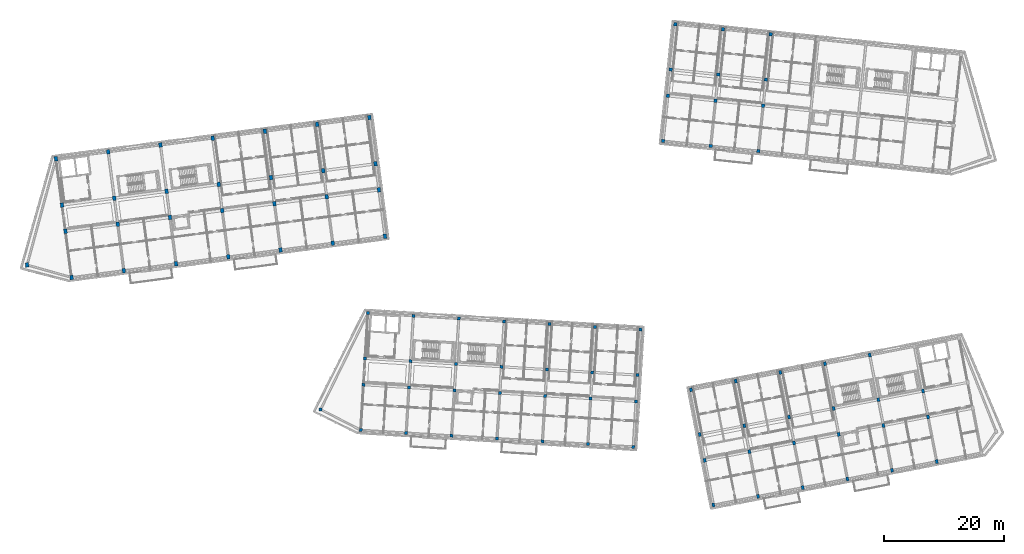
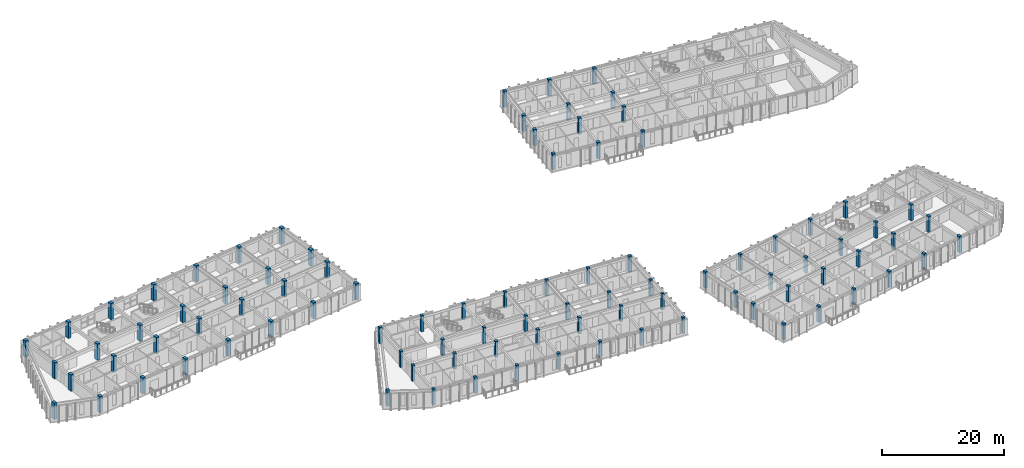
# One storey, part 1 of 68: 93 columns.
"""IFC4 building model written with IfcOpenShell, lengths in metres."""

from ifc_helpers import new_model, si_unit, direction, frame, origin, origin_2d, place, context, subcontext, project, spatial, rectangle, extrude, material, material_profile, profile_set, type_object, element, save


model = new_model("IFC4")

# Units and contexts
model_context = context("Model", 3, precision=1e-05, world=origin(), true_north=direction((0.0, 1.0)))
body_context = subcontext(model_context, "Body", "Model", "MODEL_VIEW")
ifc_project = project(units=[si_unit("LENGTHUNIT", "METRE"), si_unit("AREAUNIT", "SQUARE_METRE"), si_unit("VOLUMEUNIT", "CUBIC_METRE"), si_unit("PLANEANGLEUNIT", "RADIAN"), si_unit("MASSUNIT", "GRAM", prefix="KILO")], contexts=[model_context])

# Site, building, storey
site_placement = place(None, origin())
site = spatial("IfcSite", under=ifc_project, at=site_placement, CompositionType="ELEMENT")
building_placement = place(site_placement, origin())
building = spatial("IfcBuilding", under=site, at=building_placement, Name="Kestramere Prow Commons", CompositionType="ELEMENT")
storey_placement = place(building_placement, frame((0.0, 0.0, 18.14990234375)))
storey = spatial("IfcBuildingStorey", under=building, at=storey_placement, Name="L05", CompositionType="ELEMENT", Elevation=18.14990234375)

# Columns
ifc_material = material(Name="Precast concrete C40/50", Category="concrete")
ifc_material_profile_1 = material_profile(ifc_material, rectangle(XDim=0.550048828125, YDim=0.75, at=origin_2d()), Name="PC-COL 550x750")
ifc_profile_set_1 = profile_set([ifc_material_profile_1], Name="Precast concrete C40/50")
column_type_1 = type_object("IfcColumnType", Name="C-A2 PC-COL 550x750", PredefinedType="COLUMN", material=ifc_profile_set_1)
for number, where, z_axis, x_axis, name in (
    (1, (11.199951171875, 72.0, 0.0), (0.0, 0.0, 1.0), (0.991444861374, 0.13052619222, 0.0), "Block A L05 Column 1-1"),
    (2, (10.181884765625, 79.733154296875, 0.0), (0.0, 0.0, 1.0), (0.991444861374, 0.13052619222, 0.0), "Block A L05 Column 1-2"),
    (3, (9.607666015625, 84.095703125, 0.0), (0.0, 0.0, 1.0), (0.991444861374, 0.13052619222, 0.0), "Block A L05 Column 1-3"),
    (4, (8.58935546875, 91.828857421875, 0.0), (0.0, 0.0, 1.0), (0.991444861374, 0.13052619222, 0.0), "Block A L05 Column 1-4"),
    (5, (19.9248046875, 73.148681640625, 0.0), (0.0, 0.0, 1.0), (0.991444861374, 0.13052619222, 0.0), "Block A L05 Column 2-1"),
    (6, (18.906494140625, 80.8818359375, 0.0), (0.0, 0.0, 1.0), (0.991444861374, 0.13052619222, 0.0), "Block A L05 Column 2-2"),
    (7, (18.332275390625, 85.244140625, 0.0), (0.0, 0.0, 1.0), (0.991444861374, 0.13052619222, 0.0), "Block A L05 Column 2-3"),
    (8, (17.314208984375, 92.9775390625, 0.0), (0.0, 0.0, 1.0), (0.991444861374, 0.13052619222, 0.0), "Block A L05 Column 2-4"),
    (9, (28.6494140625, 74.29736328125, 0.0), (0.0, 0.0, 1.0), (0.991444861374, 0.13052619222, 0.0), "Block A L05 Column 3-1"),
    (10, (27.63134765625, 82.030517578125, 0.0), (0.0, 0.0, 1.0), (0.991444861374, 0.13052619222, 0.0), "Block A L05 Column 3-2"),
    (11, (27.05712890625, 86.392822265625, 0.0), (0.0, 0.0, 1.0), (0.991444861374, 0.13052619222, 0.0), "Block A L05 Column 3-3"),
    (12, (26.038818359375, 94.126220703125, 0.0), (0.0, 0.0, 1.0), (0.991444861374, 0.13052619222, 0.0), "Block A L05 Column 3-4"),
    (13, (37.3740234375, 75.44580078125, 0.0), (0.0, 0.0, 1.0), (0.991444861374, 0.13052619222, 0.0), "Block A L05 Column 4-1"),
    (14, (36.35595703125, 83.17919921875, 0.0), (0.0, 0.0, 1.0), (0.991444861374, 0.13052619222, 0.0), "Block A L05 Column 4-2"),
    (15, (35.78173828125, 87.54150390625, 0.0), (0.0, 0.0, 1.0), (0.991444861374, 0.13052619222, 0.0), "Block A L05 Column 4-3"),
    (16, (34.763671875, 95.27490234375, 0.0), (0.0, 0.0, 1.0), (0.991444861374, 0.13052619222, 0.0), "Block A L05 Column 4-4"),
    (17, (46.098876953125, 76.594482421875, 0.0), (0.0, 0.0, 1.0), (0.991444861374, 0.13052619222, 0.0), "Block A L05 Column 5-1"),
    (18, (45.080810546875, 84.327880859375, 0.0), (0.0, 0.0, 1.0), (0.991444861374, 0.13052619222, 0.0), "Block A L05 Column 5-2"),
    (19, (44.50634765625, 88.690185546875, 0.0), (0.0, 0.0, 1.0), (0.991444861374, 0.13052619222, 0.0), "Block A L05 Column 5-3"),
    (20, (43.48828125, 96.42333984375, 0.0), (0.0, 0.0, 1.0), (0.991444861374, 0.13052619222, 0.0), "Block A L05 Column 5-4"),
    (21, (54.823486328125, 77.7431640625, 0.0), (0.0, 0.0, 1.0), (0.991444861374, 0.13052619222, 0.0), "Block A L05 Column 6-1"),
    (22, (53.805419921875, 85.476318359375, 0.0), (0.0, 0.0, 1.0), (0.991444861374, 0.13052619222, 0.0), "Block A L05 Column 6-2"),
    (23, (53.231201171875, 89.8388671875, 0.0), (0.0, 0.0, 1.0), (0.991444861374, 0.13052619222, 0.0), "Block A L05 Column 6-3"),
    (24, (52.213134765625, 97.572021484375, 0.0), (0.0, 0.0, 1.0), (0.991444861374, 0.13052619222, 0.0), "Block A L05 Column 6-4"),
    (25, (63.54833984375, 78.891845703125, 0.0), (0.0, 0.0, 1.0), (0.991444861374, 0.13052619222, 0.0), "Block A L05 Column 7-1"),
    (26, (62.5302734375, 86.625, 0.0), (0.0, 0.0, 1.0), (0.991444861374, 0.13052619222, 0.0), "Block A L05 Column 7-2"),
    (27, (61.955810546875, 90.9873046875, 0.0), (0.0, 0.0, 1.0), (0.991444861374, 0.13052619222, 0.0), "Block A L05 Column 7-3"),
    (28, (60.937744140625, 98.720703125, 0.0), (0.0, 0.0, 1.0), (0.991444861374, 0.13052619222, 0.0), "Block A L05 Column 7-4"),
    (29, (3.7626953125, 74.09716796875, 0.0), (0.0, 0.0, 1.0), (0.991444861374, 0.13052619222, 0.0), "Block A L05 Prow Apex Column"),
):
    element("IfcColumn", number, at=place(storey_placement, frame(where, z_axis=z_axis, x_axis=x_axis)), inside=storey, type_object=column_type_1, Name=name, PredefinedType="COLUMN", context=body_context, shape_type="SweptSolid", body=[
        extrude(rectangle(XDim=0.550048828125, YDim=0.75, at=origin_2d()), origin(), (0.0, 0.0, 1.0), 3.25),
    ])
ifc_material_profile_2 = material_profile(ifc_material, rectangle(XDim=0.550048828125, YDim=0.550048828125, at=origin_2d()), Name="PC-COL 550x550")
ifc_profile_set_2 = profile_set([ifc_material_profile_2], Name="Precast concrete C40/50")
column_type_2 = type_object("IfcColumnType", Name="C-B2 PC-COL 550x550", PredefinedType="COLUMN", material=ifc_profile_set_2)
for number, where, z_axis, x_axis, name in (
    (30, (110.0, 94.800048828125, 0.0), (0.0, 0.0, 1.0), (0.994521895368, -0.104528463268, 0.0), "Block B L05 Column 1-1"),
    (31, (110.79443359375, 102.3583984375, 0.0), (0.0, 0.0, 1.0), (0.994521895368, -0.104528463268, 0.0), "Block B L05 Column 1-2"),
    (32, (111.25439453125, 106.734375, 0.0), (0.0, 0.0, 1.0), (0.994521895368, -0.104528463268, 0.0), "Block B L05 Column 1-3"),
    (33, (112.048828125, 114.292724609375, 0.0), (0.0, 0.0, 1.0), (0.994521895368, -0.104528463268, 0.0), "Block B L05 Column 1-4"),
    (34, (117.9560546875, 93.9638671875, 0.0), (0.0, 0.0, 1.0), (0.994521895368, -0.104528463268, 0.0), "Block B L05 Column 2-1"),
    (35, (118.75048828125, 101.522216796875, 0.0), (0.0, 0.0, 1.0), (0.994521895368, -0.104528463268, 0.0), "Block B L05 Column 2-2"),
    (36, (119.21044921875, 105.89794921875, 0.0), (0.0, 0.0, 1.0), (0.994521895368, -0.104528463268, 0.0), "Block B L05 Column 2-3"),
    (37, (120.0048828125, 113.456298828125, 0.0), (0.0, 0.0, 1.0), (0.994521895368, -0.104528463268, 0.0), "Block B L05 Column 2-4"),
    (38, (125.912353515625, 93.12744140625, 0.0), (0.0, 0.0, 1.0), (0.994521895368, -0.104528463268, 0.0), "Block B L05 Column 3-1"),
    (39, (126.706787109375, 100.685791015625, 0.0), (0.0, 0.0, 1.0), (0.994521895368, -0.104528463268, 0.0), "Block B L05 Column 3-2"),
    (40, (127.166748046875, 105.061767578125, 0.0), (0.0, 0.0, 1.0), (0.994521895368, -0.104528463268, 0.0), "Block B L05 Column 3-3"),
    (41, (127.961181640625, 112.6201171875, 0.0), (0.0, 0.0, 1.0), (0.994521895368, -0.104528463268, 0.0), "Block B L05 Column 3-4"),
):
    element("IfcColumn", number, at=place(storey_placement, frame(where, z_axis=z_axis, x_axis=x_axis)), inside=storey, type_object=column_type_2, Name=name, PredefinedType="COLUMN", context=body_context, shape_type="SweptSolid", body=[
        extrude(rectangle(XDim=0.550048828125, YDim=0.550048828125, at=origin_2d()), origin(), (0.0, 0.0, 1.0), 3.25),
    ])
ifc_material_profile_3 = material_profile(ifc_material, rectangle(XDim=0.5, YDim=0.5, at=origin_2d()), Name="PC-COL 500x500")
ifc_profile_set_3 = profile_set([ifc_material_profile_3], Name="Precast concrete C40/50")
column_type_3 = type_object("IfcColumnType", Name="C-C2 PC-COL 500x500", PredefinedType="COLUMN", material=ifc_profile_set_3)
for number, where, z_axis, x_axis, name in (
    (42, (59.5, 46.5, 0.0), (0.0, 0.0, 1.0), (0.998134798422, -0.061048539535, 0.0), "Block C L05 Column 1-1"),
    (43, (59.9638671875, 54.0859375, 0.0), (0.0, 0.0, 1.0), (0.998134798422, -0.061048539535, 0.0), "Block C L05 Column 1-2"),
    (44, (60.232666015625, 58.4775390625, 0.0), (0.0, 0.0, 1.0), (0.998134798422, -0.061048539535, 0.0), "Block C L05 Column 1-3"),
    (45, (60.696533203125, 66.0634765625, 0.0), (0.0, 0.0, 1.0), (0.998134798422, -0.061048539535, 0.0), "Block C L05 Column 1-4"),
    (46, (67.0859375, 46.0361328125, 0.0), (0.0, 0.0, 1.0), (0.998134798422, -0.061048539535, 0.0), "Block C L05 Column 2-1"),
    (47, (67.5498046875, 53.621826171875, 0.0), (0.0, 0.0, 1.0), (0.998134798422, -0.061048539535, 0.0), "Block C L05 Column 2-2"),
    (48, (67.818359375, 58.013671875, 0.0), (0.0, 0.0, 1.0), (0.998134798422, -0.061048539535, 0.0), "Block C L05 Column 2-3"),
    (49, (68.282470703125, 65.599365234375, 0.0), (0.0, 0.0, 1.0), (0.998134798422, -0.061048539535, 0.0), "Block C L05 Column 2-4"),
    (50, (74.671630859375, 45.572021484375, 0.0), (0.0, 0.0, 1.0), (0.998134798422, -0.061048539535, 0.0), "Block C L05 Column 3-1"),
    (51, (75.135498046875, 53.157958984375, 0.0), (0.0, 0.0, 1.0), (0.998134798422, -0.061048539535, 0.0), "Block C L05 Column 3-2"),
    (52, (75.404296875, 57.549560546875, 0.0), (0.0, 0.0, 1.0), (0.998134798422, -0.061048539535, 0.0), "Block C L05 Column 3-3"),
    (53, (75.8681640625, 65.135498046875, 0.0), (0.0, 0.0, 1.0), (0.998134798422, -0.061048539535, 0.0), "Block C L05 Column 3-4"),
    (54, (82.257568359375, 45.108154296875, 0.0), (0.0, 0.0, 1.0), (0.998134798422, -0.061048539535, 0.0), "Block C L05 Column 4-1"),
    (55, (82.721435546875, 52.69384765625, 0.0), (0.0, 0.0, 1.0), (0.998134798422, -0.061048539535, 0.0), "Block C L05 Column 4-2"),
    (56, (82.989990234375, 57.085693359375, 0.0), (0.0, 0.0, 1.0), (0.998134798422, -0.061048539535, 0.0), "Block C L05 Column 4-3"),
    (57, (83.4541015625, 64.671630859375, 0.0), (0.0, 0.0, 1.0), (0.998134798422, -0.061048539535, 0.0), "Block C L05 Column 4-4"),
    (58, (89.84326171875, 44.64404296875, 0.0), (0.0, 0.0, 1.0), (0.998134798422, -0.061048539535, 0.0), "Block C L05 Column 5-1"),
    (59, (90.307373046875, 52.22998046875, 0.0), (0.0, 0.0, 1.0), (0.998134798422, -0.061048539535, 0.0), "Block C L05 Column 5-2"),
    (60, (90.575927734375, 56.621826171875, 0.0), (0.0, 0.0, 1.0), (0.998134798422, -0.061048539535, 0.0), "Block C L05 Column 5-3"),
    (61, (91.039794921875, 64.20751953125, 0.0), (0.0, 0.0, 1.0), (0.998134798422, -0.061048539535, 0.0), "Block C L05 Column 5-4"),
    (62, (97.42919921875, 44.18017578125, 0.0), (0.0, 0.0, 1.0), (0.998134798422, -0.061048539535, 0.0), "Block C L05 Column 6-1"),
    (63, (97.89306640625, 51.765869140625, 0.0), (0.0, 0.0, 1.0), (0.998134798422, -0.061048539535, 0.0), "Block C L05 Column 6-2"),
    (64, (98.16162109375, 56.15771484375, 0.0), (0.0, 0.0, 1.0), (0.998134798422, -0.061048539535, 0.0), "Block C L05 Column 6-3"),
    (65, (98.625732421875, 63.74365234375, 0.0), (0.0, 0.0, 1.0), (0.998134798422, -0.061048539535, 0.0), "Block C L05 Column 6-4"),
    (66, (105.014892578125, 43.71630859375, 0.0), (0.0, 0.0, 1.0), (0.998134798422, -0.061048539535, 0.0), "Block C L05 Column 7-1"),
    (67, (105.47900390625, 51.302001953125, 0.0), (0.0, 0.0, 1.0), (0.998134798422, -0.061048539535, 0.0), "Block C L05 Column 7-2"),
    (68, (105.74755859375, 55.69384765625, 0.0), (0.0, 0.0, 1.0), (0.998134798422, -0.061048539535, 0.0), "Block C L05 Column 7-3"),
    (69, (106.21142578125, 63.279541015625, 0.0), (0.0, 0.0, 1.0), (0.998134798422, -0.061048539535, 0.0), "Block C L05 Column 7-4"),
    (70, (52.799072265625, 49.965576171875, 0.0), (0.0, 0.0, 1.0), (0.998134798422, -0.061048539535, 0.0), "Block C L05 Prow Apex Column"),
):
    element("IfcColumn", number, at=place(storey_placement, frame(where, z_axis=z_axis, x_axis=x_axis)), inside=storey, type_object=column_type_3, Name=name, PredefinedType="COLUMN", context=body_context, shape_type="SweptSolid", body=[
        extrude(rectangle(XDim=0.5, YDim=0.5, at=origin_2d()), origin(), (0.0, 0.0, 1.0), 3.25),
    ])
ifc_material_profile_4 = material_profile(ifc_material, rectangle(XDim=0.449951171875, YDim=0.64990234375, at=origin_2d()), Name="PC-COL 450x650")
ifc_profile_set_4 = profile_set([ifc_material_profile_4], Name="Precast concrete C40/50")
column_type_4 = type_object("IfcColumnType", Name="C-D3 PC-COL 450x650", PredefinedType="COLUMN", material=ifc_profile_set_4)
for number, where, z_axis, x_axis, name in (
    (71, (118.39990234375, 34.0, 0.0), (0.0, 0.0, 1.0), (0.981627183448, 0.190808995377, 0.0), "Block D L05 Column 1-1"),
    (72, (116.949951171875, 41.46044921875, 0.0), (0.0, 0.0, 1.0), (0.981627183448, 0.190808995377, 0.0), "Block D L05 Column 1-2"),
    (73, (116.1103515625, 45.779541015625, 0.0), (0.0, 0.0, 1.0), (0.981627183448, 0.190808995377, 0.0), "Block D L05 Column 1-3"),
    (74, (114.66015625, 53.239990234375, 0.0), (0.0, 0.0, 1.0), (0.981627183448, 0.190808995377, 0.0), "Block D L05 Column 1-4"),
    (75, (125.8603515625, 35.4501953125, 0.0), (0.0, 0.0, 1.0), (0.981627183448, 0.190808995377, 0.0), "Block D L05 Column 2-1"),
    (76, (124.41015625, 42.910400390625, 0.0), (0.0, 0.0, 1.0), (0.981627183448, 0.190808995377, 0.0), "Block D L05 Column 2-2"),
    (77, (123.570556640625, 47.229736328125, 0.0), (0.0, 0.0, 1.0), (0.981627183448, 0.190808995377, 0.0), "Block D L05 Column 2-3"),
    (78, (122.12060546875, 54.68994140625, 0.0), (0.0, 0.0, 1.0), (0.981627183448, 0.190808995377, 0.0), "Block D L05 Column 2-4"),
    (79, (133.32080078125, 36.900390625, 0.0), (0.0, 0.0, 1.0), (0.981627183448, 0.190808995377, 0.0), "Block D L05 Column 3-1"),
    (80, (131.87060546875, 44.360595703125, 0.0), (0.0, 0.0, 1.0), (0.981627183448, 0.190808995377, 0.0), "Block D L05 Column 3-2"),
    (81, (131.031005859375, 48.679931640625, 0.0), (0.0, 0.0, 1.0), (0.981627183448, 0.190808995377, 0.0), "Block D L05 Column 3-3"),
    (82, (129.580810546875, 56.14013671875, 0.0), (0.0, 0.0, 1.0), (0.981627183448, 0.190808995377, 0.0), "Block D L05 Column 3-4"),
    (83, (140.781005859375, 38.350341796875, 0.0), (0.0, 0.0, 1.0), (0.981627183448, 0.190808995377, 0.0), "Block D L05 Column 4-1"),
    (84, (139.3310546875, 45.810791015625, 0.0), (0.0, 0.0, 1.0), (0.981627183448, 0.190808995377, 0.0), "Block D L05 Column 4-2"),
    (85, (138.491455078125, 50.1298828125, 0.0), (0.0, 0.0, 1.0), (0.981627183448, 0.190808995377, 0.0), "Block D L05 Column 4-3"),
    (86, (137.041259765625, 57.59033203125, 0.0), (0.0, 0.0, 1.0), (0.981627183448, 0.190808995377, 0.0), "Block D L05 Column 4-4"),
    (87, (148.241455078125, 39.800537109375, 0.0), (0.0, 0.0, 1.0), (0.981627183448, 0.190808995377, 0.0), "Block D L05 Column 5-1"),
    (88, (146.791259765625, 47.260986328125, 0.0), (0.0, 0.0, 1.0), (0.981627183448, 0.190808995377, 0.0), "Block D L05 Column 5-2"),
    (89, (145.95166015625, 51.580078125, 0.0), (0.0, 0.0, 1.0), (0.981627183448, 0.190808995377, 0.0), "Block D L05 Column 5-3"),
    (90, (144.501708984375, 59.04052734375, 0.0), (0.0, 0.0, 1.0), (0.981627183448, 0.190808995377, 0.0), "Block D L05 Column 5-4"),
    (91, (155.701904296875, 41.250732421875, 0.0), (0.0, 0.0, 1.0), (0.981627183448, 0.190808995377, 0.0), "Block D L05 Column 6-1"),
    (92, (154.251708984375, 48.711181640625, 0.0), (0.0, 0.0, 1.0), (0.981627183448, 0.190808995377, 0.0), "Block D L05 Column 6-2"),
    (93, (153.412109375, 53.0302734375, 0.0), (0.0, 0.0, 1.0), (0.981627183448, 0.190808995377, 0.0), "Block D L05 Column 6-3"),
):
    element("IfcColumn", number, at=place(storey_placement, frame(where, z_axis=z_axis, x_axis=x_axis)), inside=storey, type_object=column_type_4, Name=name, PredefinedType="COLUMN", context=body_context, shape_type="SweptSolid", body=[
        extrude(rectangle(XDim=0.449951171875, YDim=0.64990234375, at=origin_2d()), origin(), (0.0, 0.0, 1.0), 3.25),
    ])

save(model, "model.ifc")
